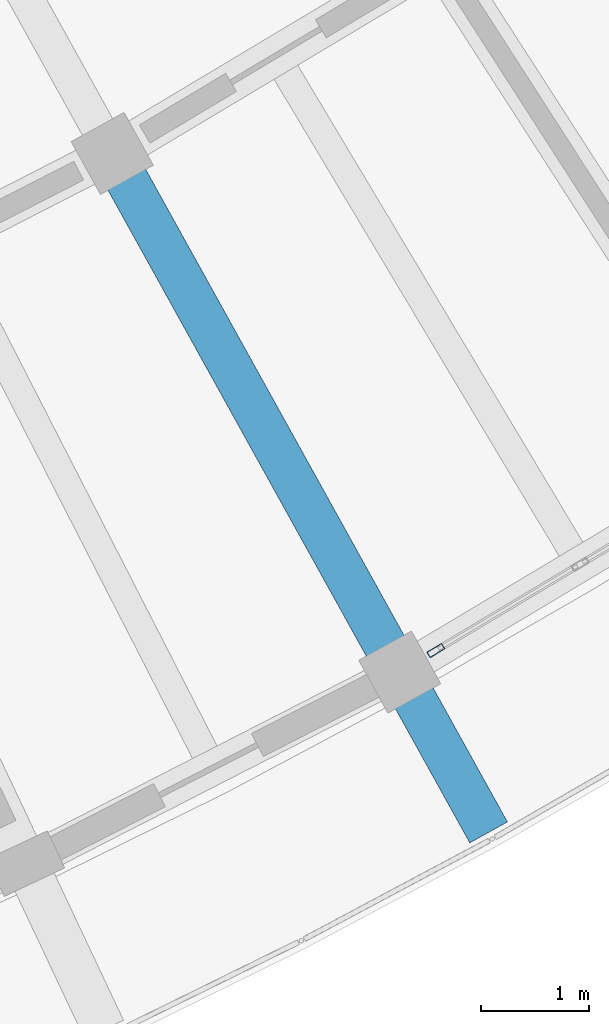
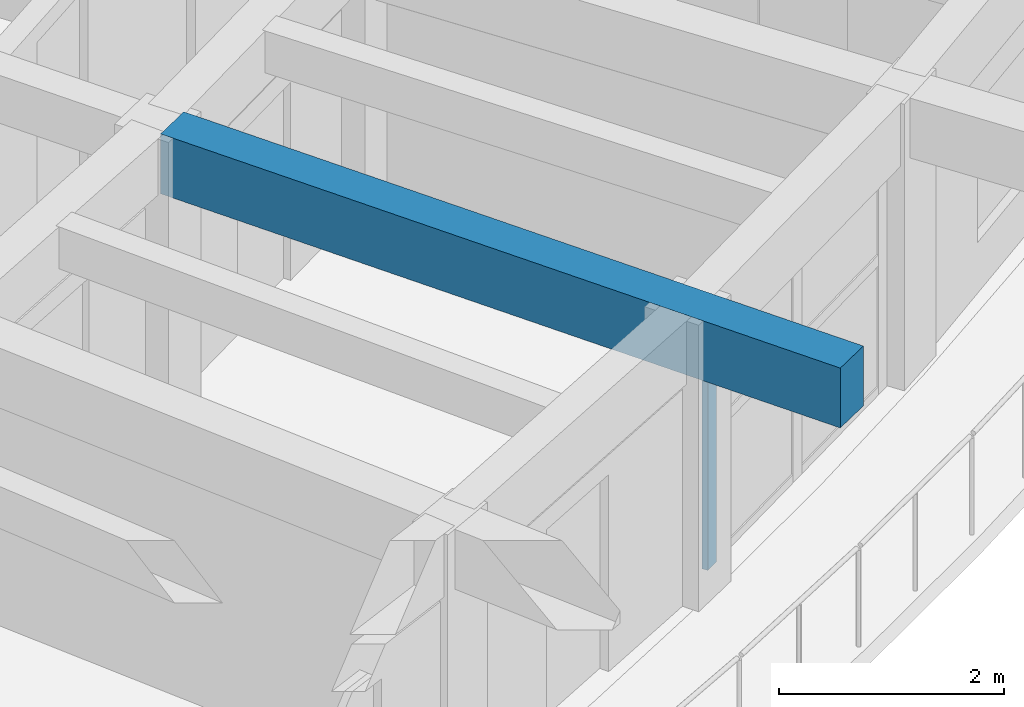
# One storey, part 16 of 78: 1 beam, 1 member, 1 element without a shape of its own.
"""IFC4 building model written with IfcOpenShell, lengths in metres."""

from ifc_helpers import new_model, si_unit, direction, frame, origin, origin_2d, place, context, subcontext, project, spatial, rectangle, hollow_rectangle, extrude, material, material_profile, profile_set, type_object, element, aggregate, save


model = new_model("IFC4")

# Units and contexts
model_context = context("Model", 3, precision=1e-05, world=origin(), true_north=direction((0.0, 1.0)))
body_context = subcontext(model_context, "Body", "Model", "MODEL_VIEW")
ifc_project = project(units=[si_unit("LENGTHUNIT", "METRE"), si_unit("AREAUNIT", "SQUARE_METRE"), si_unit("VOLUMEUNIT", "CUBIC_METRE"), si_unit("PLANEANGLEUNIT", "RADIAN"), si_unit("MASSUNIT", "GRAM", prefix="KILO")], contexts=[model_context])

# Site, building, storey
site_placement = place(None, origin())
site = spatial("IfcSite", under=ifc_project, at=site_placement, CompositionType="ELEMENT")
building_placement = place(site_placement, origin())
building = spatial("IfcBuilding", under=site, at=building_placement, Name="Tanwirah Colonnade Gardens", CompositionType="ELEMENT")
storey_placement = place(building_placement, frame((0.0, 0.0, 22.280029296875)))
storey = spatial("IfcBuildingStorey", under=building, at=storey_placement, Name="L06", CompositionType="ELEMENT", Elevation=22.280029296875)

# Beam
ifc_material_1 = material(Name="Precast concrete C45/55", Category="concrete")
ifc_material_profile_1 = material_profile(ifc_material_1, rectangle(XDim=0.39990234375, YDim=0.64990234375, at=origin_2d()), Name="PC-BM 400x650")
ifc_profile_set_1 = profile_set([ifc_material_profile_1], Name="Precast concrete C45/55")
beam_type = type_object("IfcBeamType", Name="BM-PC400", PredefinedType="BEAM", material=ifc_profile_set_1)
beam_placement = place(storey_placement, frame((147.276611328125, 17.095703125, 2.784912109375), z_axis=(0.484804753745, -0.874622404667, 0.0), x_axis=(0.874622404667, 0.484804753745, 0.0)))
element("IfcBeam", 1, at=beam_placement, inside=storey, type_object=beam_type, Name="Block D L06 Outer Radial Precast Girder 4", PredefinedType="BEAM", context=body_context, shape_type="SweptSolid", body=[
    extrude(rectangle(XDim=0.39990234375, YDim=0.64990234375, at=origin_2d()), origin(), (0.0, 0.0, 1.0), 7.05029296875),
])

# Curtain wall, member
ifc_material_2 = material(Name="Bronze-anodised aluminium and solar-control low-E glass", Category="aluminium")
curtain_wall_type = type_object("IfcCurtainWallType", Name="CW-LOB", PredefinedType="NOTDEFINED", material=ifc_material_2)
curtain_wall_placement = place(storey_placement, origin())
curtain_wall = element("IfcCurtainWall", 2, at=curtain_wall_placement, inside=storey, type_object=curtain_wall_type, Name="Curtain Wall CW-D-L06-OUT-04", PredefinedType="NOTDEFINED")
ifc_material_3 = material(Name="Bronze-anodised aluminium", Category="aluminium")
ifc_material_profile_2 = material_profile(ifc_material_3, hollow_rectangle(XDim=0.06005859375, YDim=0.159912109375, WallThickness=0.00390625, at=origin_2d()), Name="CW-MUL 60x160x4")
ifc_profile_set_2 = profile_set([ifc_material_profile_2], Name="Bronze-anodised aluminium")
member_type = type_object("IfcMemberType", Name="CWM-60x160", PredefinedType="MULLION", material=ifc_profile_set_2)
member_placement = place(storey_placement, frame((150.205078125, 12.616455078125, 0.0), z_axis=(0.0, 0.0, 1.0), x_axis=(-0.513166590222, 0.858289025142, 0.0)))
member = element("IfcMember", 3, at=member_placement, type_object=member_type, Name="CW-LOB mullion 1", PredefinedType="MULLION", context=body_context, shape_type="SweptSolid", body=[
    extrude(hollow_rectangle(XDim=0.06005859375, YDim=0.159912109375, WallThickness=0.00390625, at=origin_2d()), origin(), (0.0, 0.0, 1.0), 2.35498046875),
])
aggregate(curtain_wall, [member])

save(model, "model.ifc")
